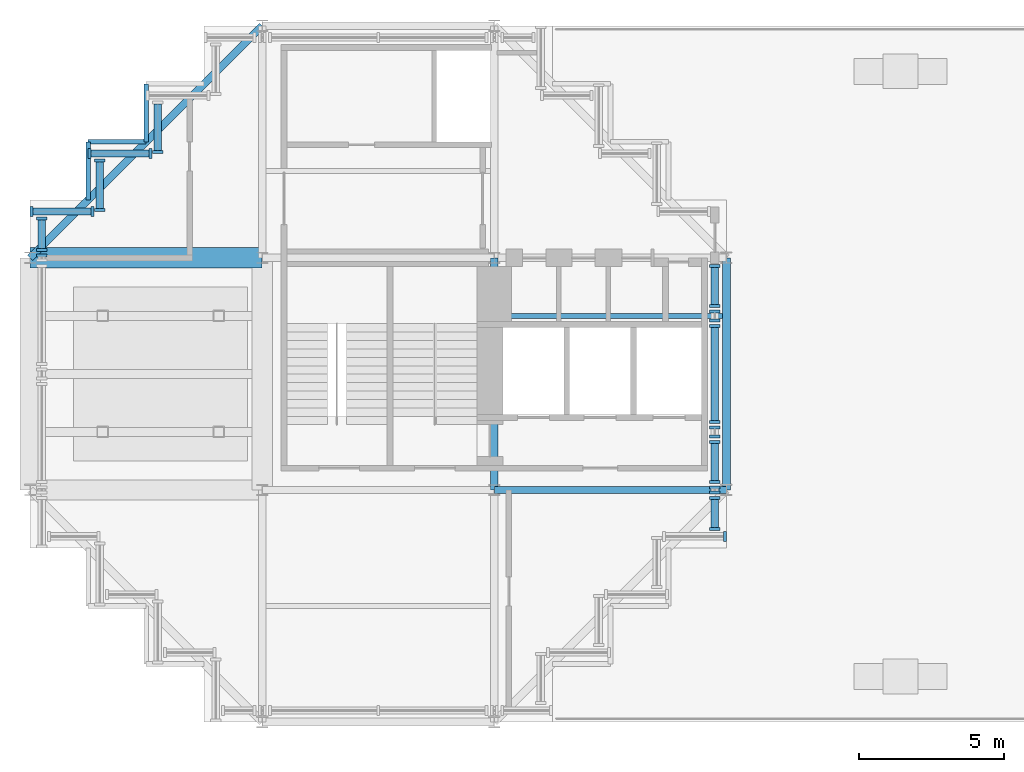
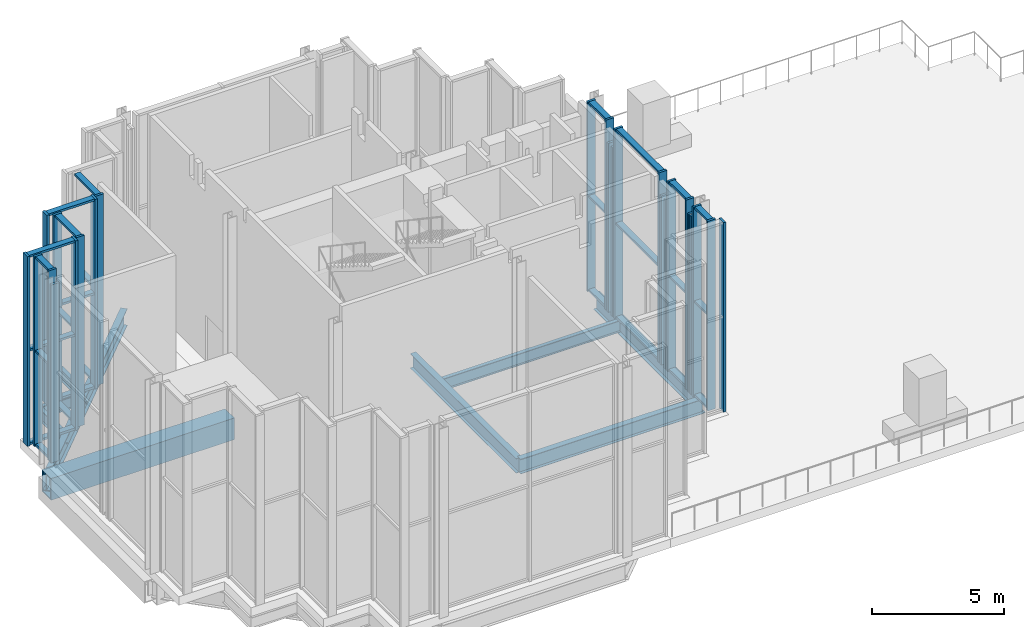
# One storey, part 3 of 15: 52 members, 9 beams, 14 elements without a shape of their own.
"""IFC4 building model written with IfcOpenShell, lengths in metres."""

from ifc_helpers import new_model, si_unit, direction, frame, origin, origin_2d, place, context, subcontext, project, spatial, rectangle, hollow_rectangle, i_section, extrude, material, material_profile, profile_set, type_object, element, aggregate, save


model = new_model("IFC4")

# Units and contexts
model_context = context("Model", 3, precision=1e-05, world=origin(), true_north=direction((0.0, 1.0)))
body_context = subcontext(model_context, "Body", "Model", "MODEL_VIEW")
ifc_project = project(units=[si_unit("LENGTHUNIT", "METRE"), si_unit("AREAUNIT", "SQUARE_METRE"), si_unit("VOLUMEUNIT", "CUBIC_METRE"), si_unit("PLANEANGLEUNIT", "RADIAN"), si_unit("MASSUNIT", "GRAM", prefix="KILO")], contexts=[model_context])

# Site, building, storey
site_placement = place(None, origin())
site = spatial("IfcSite", under=ifc_project, at=site_placement, CompositionType="ELEMENT")
building_placement = place(site_placement, origin())
building = spatial("IfcBuilding", under=site, at=building_placement, Name="Immortelle Media Tower", CompositionType="ELEMENT")
storey_placement = place(building_placement, frame((0.0, 0.0, 299.0)))
storey = spatial("IfcBuildingStorey", under=building, at=storey_placement, Name="L66", CompositionType="ELEMENT", Elevation=299.0)

# Beam
ifc_material_1 = material(Name="Steel ASTM A572 Gr 50", Category="steel")
ifc_material_profile_1 = material_profile(ifc_material_1, hollow_rectangle(XDim=0.699951171875, YDim=1.0, WallThickness=0.044921875, at=origin_2d()), Name="BOX 1000x700x45 box girder")
ifc_profile_set_1 = profile_set([ifc_material_profile_1], Name="Steel ASTM A572 Gr 50")
beam_type_1 = type_object("IfcBeamType", Name="BOX 1000x700x45 box girder", PredefinedType="BEAM", material=ifc_profile_set_1)
beam_1_placement = place(storey_placement, frame((0.0, 16.0, -0.89990234375), z_axis=(1.0, 0.0, 0.0), x_axis=(0.0, 1.0, 0.0)))
element("IfcBeam", 1, at=beam_1_placement, inside=storey, type_object=beam_type_1, Name="Girder C/1-2", PredefinedType="BEAM", context=body_context, shape_type="SweptSolid", body=[
    extrude(hollow_rectangle(XDim=0.699951171875, YDim=1.0, WallThickness=0.044921875, at=origin_2d()), origin(), (0.0, 0.0, 1.0), 8.0),
])

# Curtain wall, member
ifc_material_2 = material(Name="Aluminium curtain wall system", Category="aluminium")
curtain_wall_type = type_object("IfcCurtainWallType", Name="Damper hall glazing curtain wall", PredefinedType="NOTDEFINED", material=ifc_material_2)
curtain_wall_1_placement = place(storey_placement, origin())
curtain_wall_1 = element("IfcCurtainWall", 2, at=curtain_wall_1_placement, inside=storey, type_object=curtain_wall_type, Name="Damper hall glazing L66 S 6", PredefinedType="NOTDEFINED")
ifc_material_3 = material(Name="Aluminium 6063-T6", Category="aluminium")
ifc_material_profile_2 = material_profile(ifc_material_3, rectangle(XDim=0.35009765625, YDim=0.10009765625, at=origin_2d()), Name="AL 100x350")
ifc_profile_set_2 = profile_set([ifc_material_profile_2], Name="Aluminium 6063-T6")
member_type_1 = type_object("IfcMemberType", Name="Damper hall glazing mullion 100 x 350", PredefinedType="MULLION", material=ifc_profile_set_2)
member_1_placement = place(storey_placement, frame((23.949951171875, 6.39990234375, 0.0), z_axis=(0.0, 0.0, 1.0), x_axis=(0.0, 1.0, 0.0)))
member_1 = element("IfcMember", 3, at=member_1_placement, type_object=member_type_1, Name="CW5 mullion 2", PredefinedType="MULLION", context=body_context, shape_type="SweptSolid", body=[
    extrude(rectangle(XDim=0.35009765625, YDim=0.10009765625, at=origin_2d()), origin(), (0.0, 0.0, 1.0), 8.74951171875),
])
aggregate(curtain_wall_1, [member_1])

# Curtain wall, members
curtain_wall_2_placement = place(storey_placement, origin())
curtain_wall_2 = element("IfcCurtainWall", 4, at=curtain_wall_2_placement, inside=storey, type_object=curtain_wall_type, Name="Damper hall glazing L66 E 7-1", PredefinedType="NOTDEFINED")
member_2_placement = place(storey_placement, frame((23.60009765625, 6.64990234375, 0.0), z_axis=(0.0, 0.0, 1.0), x_axis=(-1.0, 0.0, 0.0)))
member_2 = element("IfcMember", 5, at=member_2_placement, type_object=member_type_1, Name="CW5 mullion 1", PredefinedType="MULLION", context=body_context, shape_type="SweptSolid", body=[
    extrude(rectangle(XDim=0.35009765625, YDim=0.10009765625, at=origin_2d()), origin(), (0.0, 0.0, 1.0), 8.74951171875),
])
member_3_placement = place(storey_placement, frame((23.60009765625, 7.7265625, 0.0), z_axis=(0.0, 0.0, 1.0), x_axis=(-1.0, 0.0, 0.0)))
member_3 = element("IfcMember", 6, at=member_3_placement, type_object=member_type_1, Name="CW5 mullion 2", PredefinedType="MULLION", context=body_context, shape_type="SweptSolid", body=[
    extrude(rectangle(XDim=0.35009765625, YDim=0.10009765625, at=origin_2d()), origin(), (0.0, 0.0, 1.0), 8.74951171875),
])

curtain_wall_3_placement = place(storey_placement, origin())
curtain_wall_3 = element("IfcCurtainWall", 7, at=curtain_wall_3_placement, inside=storey, type_object=curtain_wall_type, Name="Damper hall glazing L66 E 7-2", PredefinedType="NOTDEFINED")
member_4_placement = place(storey_placement, frame((23.60009765625, 7.91650390625, 0.0), z_axis=(0.0, 0.0, 1.0), x_axis=(-1.0, 0.0, 0.0)))
member_4 = element("IfcMember", 8, at=member_4_placement, type_object=member_type_1, Name="CW5 mullion 1", PredefinedType="MULLION", context=body_context, shape_type="SweptSolid", body=[
    extrude(rectangle(XDim=0.35009765625, YDim=0.10009765625, at=origin_2d()), origin(), (0.0, 0.0, 1.0), 8.21337890625),
])
member_5_placement = place(storey_placement, frame((23.60009765625, 8.08349609375, 0.0), z_axis=(0.0, 0.0, 1.0), x_axis=(-1.0, 0.0, 0.0)))
member_5 = element("IfcMember", 9, at=member_5_placement, type_object=member_type_1, Name="CW5 mullion 2", PredefinedType="MULLION", context=body_context, shape_type="SweptSolid", body=[
    extrude(rectangle(XDim=0.35009765625, YDim=0.10009765625, at=origin_2d()), origin(), (0.0, 0.0, 1.0), 8.21337890625),
])
aggregate(curtain_wall_3, [member_4, member_5])

curtain_wall_4_placement = place(storey_placement, origin())
curtain_wall_4 = element("IfcCurtainWall", 10, at=curtain_wall_4_placement, inside=storey, type_object=curtain_wall_type, Name="Damper hall glazing L66 E 7-3", PredefinedType="NOTDEFINED")
member_6_placement = place(storey_placement, frame((23.60009765625, 8.2734375, 0.0), z_axis=(0.0, 0.0, 1.0), x_axis=(-1.0, 0.0, 0.0)))
member_6 = element("IfcMember", 11, at=member_6_placement, type_object=member_type_1, Name="CW5 mullion 1", PredefinedType="MULLION", context=body_context, shape_type="SweptSolid", body=[
    extrude(rectangle(XDim=0.35009765625, YDim=0.10009765625, at=origin_2d()), origin(), (0.0, 0.0, 1.0), 8.74951171875),
])
member_7_placement = place(storey_placement, frame((23.60009765625, 9.655029296875, 0.0), z_axis=(0.0, 0.0, 1.0), x_axis=(-1.0, 0.0, 0.0)))
member_7 = element("IfcMember", 12, at=member_7_placement, type_object=member_type_1, Name="CW5 mullion 2", PredefinedType="MULLION", context=body_context, shape_type="SweptSolid", body=[
    extrude(rectangle(XDim=0.35009765625, YDim=0.10009765625, at=origin_2d()), origin(), (0.0, 0.0, 1.0), 8.74951171875),
])

curtain_wall_5_placement = place(storey_placement, origin())
curtain_wall_5 = element("IfcCurtainWall", 13, at=curtain_wall_5_placement, inside=storey, type_object=curtain_wall_type, Name="Damper hall glazing L66 E 7-4", PredefinedType="NOTDEFINED")
member_8_placement = place(storey_placement, frame((23.60009765625, 9.844970703125, 0.0), z_axis=(0.0, 0.0, 1.0), x_axis=(-1.0, 0.0, 0.0)))
member_8 = element("IfcMember", 14, at=member_8_placement, type_object=member_type_1, Name="CW5 mullion 1", PredefinedType="MULLION", context=body_context, shape_type="SweptSolid", body=[
    extrude(rectangle(XDim=0.35009765625, YDim=0.10009765625, at=origin_2d()), origin(), (0.0, 0.0, 1.0), 7.799560546875),
])
member_9_placement = place(storey_placement, frame((23.60009765625, 10.155029296875, 0.0), z_axis=(0.0, 0.0, 1.0), x_axis=(-1.0, 0.0, 0.0)))
member_9 = element("IfcMember", 15, at=member_9_placement, type_object=member_type_1, Name="CW5 mullion 2", PredefinedType="MULLION", context=body_context, shape_type="SweptSolid", body=[
    extrude(rectangle(XDim=0.35009765625, YDim=0.10009765625, at=origin_2d()), origin(), (0.0, 0.0, 1.0), 7.799560546875),
])
aggregate(curtain_wall_5, [member_8, member_9])

curtain_wall_6_placement = place(storey_placement, origin())
curtain_wall_6 = element("IfcCurtainWall", 16, at=curtain_wall_6_placement, inside=storey, type_object=curtain_wall_type, Name="Damper hall glazing L66 E 7-5", PredefinedType="NOTDEFINED")
member_10_placement = place(storey_placement, frame((23.60009765625, 10.344970703125, 0.0), z_axis=(0.0, 0.0, 1.0), x_axis=(-1.0, 0.0, 0.0)))
member_10 = element("IfcMember", 17, at=member_10_placement, type_object=member_type_1, Name="CW5 mullion 1", PredefinedType="MULLION", context=body_context, shape_type="SweptSolid", body=[
    extrude(rectangle(XDim=0.35009765625, YDim=0.10009765625, at=origin_2d()), origin(), (0.0, 0.0, 1.0), 8.74951171875),
])
member_11_placement = place(storey_placement, frame((23.60009765625, 13.655029296875, 0.0), z_axis=(0.0, 0.0, 1.0), x_axis=(-1.0, 0.0, 0.0)))
member_11 = element("IfcMember", 18, at=member_11_placement, type_object=member_type_1, Name="CW5 mullion 2", PredefinedType="MULLION", context=body_context, shape_type="SweptSolid", body=[
    extrude(rectangle(XDim=0.35009765625, YDim=0.10009765625, at=origin_2d()), origin(), (0.0, 0.0, 1.0), 8.74951171875),
])

curtain_wall_7_placement = place(storey_placement, origin())
curtain_wall_7 = element("IfcCurtainWall", 19, at=curtain_wall_7_placement, inside=storey, type_object=curtain_wall_type, Name="Damper hall glazing L66 E 7-6", PredefinedType="NOTDEFINED")
member_12_placement = place(storey_placement, frame((23.60009765625, 13.844970703125, 0.0), z_axis=(0.0, 0.0, 1.0), x_axis=(-1.0, 0.0, 0.0)))
member_12 = element("IfcMember", 20, at=member_12_placement, type_object=member_type_1, Name="CW5 mullion 1", PredefinedType="MULLION", context=body_context, shape_type="SweptSolid", body=[
    extrude(rectangle(XDim=0.35009765625, YDim=0.10009765625, at=origin_2d()), origin(), (0.0, 0.0, 1.0), 7.799560546875),
])
member_13_placement = place(storey_placement, frame((23.60009765625, 14.155029296875, 0.0), z_axis=(0.0, 0.0, 1.0), x_axis=(-1.0, 0.0, 0.0)))
member_13 = element("IfcMember", 21, at=member_13_placement, type_object=member_type_1, Name="CW5 mullion 2", PredefinedType="MULLION", context=body_context, shape_type="SweptSolid", body=[
    extrude(rectangle(XDim=0.35009765625, YDim=0.10009765625, at=origin_2d()), origin(), (0.0, 0.0, 1.0), 7.799560546875),
])
aggregate(curtain_wall_7, [member_12, member_13])

curtain_wall_8_placement = place(storey_placement, origin())
curtain_wall_8 = element("IfcCurtainWall", 22, at=curtain_wall_8_placement, inside=storey, type_object=curtain_wall_type, Name="Damper hall glazing L66 E 7-7", PredefinedType="NOTDEFINED")
member_14_placement = place(storey_placement, frame((23.60009765625, 14.344970703125, 0.0), z_axis=(0.0, 0.0, 1.0), x_axis=(-1.0, 0.0, 0.0)))
member_14 = element("IfcMember", 23, at=member_14_placement, type_object=member_type_1, Name="CW5 mullion 1", PredefinedType="MULLION", context=body_context, shape_type="SweptSolid", body=[
    extrude(rectangle(XDim=0.35009765625, YDim=0.10009765625, at=origin_2d()), origin(), (0.0, 0.0, 1.0), 8.74951171875),
])
member_15_placement = place(storey_placement, frame((23.60009765625, 15.7265625, 0.0), z_axis=(0.0, 0.0, 1.0), x_axis=(-1.0, 0.0, 0.0)))
member_15 = element("IfcMember", 24, at=member_15_placement, type_object=member_type_1, Name="CW5 mullion 2", PredefinedType="MULLION", context=body_context, shape_type="SweptSolid", body=[
    extrude(rectangle(XDim=0.35009765625, YDim=0.10009765625, at=origin_2d()), origin(), (0.0, 0.0, 1.0), 8.74951171875),
])

# Curtain wall, member
curtain_wall_9_placement = place(storey_placement, origin())
curtain_wall_9 = element("IfcCurtainWall", 25, at=curtain_wall_9_placement, inside=storey, type_object=curtain_wall_type, Name="Damper hall glazing L66 W 17", PredefinedType="NOTDEFINED")
member_16_placement = place(storey_placement, frame((4.39990234375, 19.64990234375, 0.0), z_axis=(0.0, 0.0, 1.0), x_axis=(1.0, 0.0, 0.0)))
member_16 = element("IfcMember", 26, at=member_16_placement, type_object=member_type_1, Name="CW5 mullion 2", PredefinedType="MULLION", context=body_context, shape_type="SweptSolid", body=[
    extrude(rectangle(XDim=0.35009765625, YDim=0.10009765625, at=origin_2d()), origin(), (0.0, 0.0, 1.0), 8.74951171875),
])

# Curtain wall, members
curtain_wall_10_placement = place(storey_placement, origin())
curtain_wall_10 = element("IfcCurtainWall", 27, at=curtain_wall_10_placement, inside=storey, type_object=curtain_wall_type, Name="Damper hall glazing L66 N 18", PredefinedType="NOTDEFINED")
member_17_placement = place(storey_placement, frame((4.14990234375, 19.60009765625, 0.0), z_axis=(0.0, 0.0, 1.0), x_axis=(0.0, -1.0, 0.0)))
member_17 = element("IfcMember", 28, at=member_17_placement, type_object=member_type_1, Name="CW5 mullion 1", PredefinedType="MULLION", context=body_context, shape_type="SweptSolid", body=[
    extrude(rectangle(XDim=0.35009765625, YDim=0.10009765625, at=origin_2d()), origin(), (0.0, 0.0, 1.0), 8.74951171875),
])
member_18_placement = place(storey_placement, frame((2.050048828125, 19.60009765625, 0.0), z_axis=(0.0, 0.0, 1.0), x_axis=(0.0, -1.0, 0.0)))
member_18 = element("IfcMember", 29, at=member_18_placement, type_object=member_type_1, Name="CW5 mullion 2", PredefinedType="MULLION", context=body_context, shape_type="SweptSolid", body=[
    extrude(rectangle(XDim=0.35009765625, YDim=0.10009765625, at=origin_2d()), origin(), (0.0, 0.0, 1.0), 8.74951171875),
])

curtain_wall_11_placement = place(storey_placement, origin())
curtain_wall_11 = element("IfcCurtainWall", 30, at=curtain_wall_11_placement, inside=storey, type_object=curtain_wall_type, Name="Damper hall glazing L66 W 19", PredefinedType="NOTDEFINED")
member_19_placement = place(storey_placement, frame((2.39990234375, 19.35009765625, 0.0), z_axis=(0.0, 0.0, 1.0), x_axis=(1.0, 0.0, 0.0)))
member_19 = element("IfcMember", 31, at=member_19_placement, type_object=member_type_1, Name="CW5 mullion 1", PredefinedType="MULLION", context=body_context, shape_type="SweptSolid", body=[
    extrude(rectangle(XDim=0.35009765625, YDim=0.10009765625, at=origin_2d()), origin(), (0.0, 0.0, 1.0), 8.74951171875),
])
member_20_placement = place(storey_placement, frame((2.39990234375, 17.64990234375, 0.0), z_axis=(0.0, 0.0, 1.0), x_axis=(1.0, 0.0, 0.0)))
member_20 = element("IfcMember", 32, at=member_20_placement, type_object=member_type_1, Name="CW5 mullion 2", PredefinedType="MULLION", context=body_context, shape_type="SweptSolid", body=[
    extrude(rectangle(XDim=0.35009765625, YDim=0.10009765625, at=origin_2d()), origin(), (0.0, 0.0, 1.0), 8.74951171875),
])

curtain_wall_12_placement = place(storey_placement, origin())
curtain_wall_12 = element("IfcCurtainWall", 33, at=curtain_wall_12_placement, inside=storey, type_object=curtain_wall_type, Name="Damper hall glazing L66 N 20", PredefinedType="NOTDEFINED")
member_21_placement = place(storey_placement, frame((2.14990234375, 17.60009765625, 0.0), z_axis=(0.0, 0.0, 1.0), x_axis=(0.0, -1.0, 0.0)))
member_21 = element("IfcMember", 34, at=member_21_placement, type_object=member_type_1, Name="CW5 mullion 1", PredefinedType="MULLION", context=body_context, shape_type="SweptSolid", body=[
    extrude(rectangle(XDim=0.35009765625, YDim=0.10009765625, at=origin_2d()), origin(), (0.0, 0.0, 1.0), 8.74951171875),
])
member_22_placement = place(storey_placement, frame((0.050048828125, 17.60009765625, 0.0), z_axis=(0.0, 0.0, 1.0), x_axis=(0.0, -1.0, 0.0)))
member_22 = element("IfcMember", 35, at=member_22_placement, type_object=member_type_1, Name="CW5 mullion 2", PredefinedType="MULLION", context=body_context, shape_type="SweptSolid", body=[
    extrude(rectangle(XDim=0.35009765625, YDim=0.10009765625, at=origin_2d()), origin(), (0.0, 0.0, 1.0), 8.74951171875),
])

curtain_wall_13_placement = place(storey_placement, origin())
curtain_wall_13 = element("IfcCurtainWall", 36, at=curtain_wall_13_placement, inside=storey, type_object=curtain_wall_type, Name="Damper hall glazing L66 W 21-1", PredefinedType="NOTDEFINED")
member_23_placement = place(storey_placement, frame((0.39990234375, 17.35009765625, 0.0), z_axis=(0.0, 0.0, 1.0), x_axis=(1.0, 0.0, 0.0)))
member_23 = element("IfcMember", 37, at=member_23_placement, type_object=member_type_1, Name="CW5 mullion 1", PredefinedType="MULLION", context=body_context, shape_type="SweptSolid", body=[
    extrude(rectangle(XDim=0.35009765625, YDim=0.10009765625, at=origin_2d()), origin(), (0.0, 0.0, 1.0), 8.74951171875),
])
member_24_placement = place(storey_placement, frame((0.39990234375, 16.2734375, 0.0), z_axis=(0.0, 0.0, 1.0), x_axis=(1.0, 0.0, 0.0)))
member_24 = element("IfcMember", 38, at=member_24_placement, type_object=member_type_1, Name="CW5 mullion 2", PredefinedType="MULLION", context=body_context, shape_type="SweptSolid", body=[
    extrude(rectangle(XDim=0.35009765625, YDim=0.10009765625, at=origin_2d()), origin(), (0.0, 0.0, 1.0), 8.74951171875),
])

# Curtain wall, member
curtain_wall_14_placement = place(storey_placement, origin())
curtain_wall_14 = element("IfcCurtainWall", 39, at=curtain_wall_14_placement, inside=storey, type_object=curtain_wall_type, Name="Damper hall glazing L66 W 21-2", PredefinedType="NOTDEFINED")
member_25_placement = place(storey_placement, frame((0.39990234375, 16.08349609375, 0.0), z_axis=(0.0, 0.0, 1.0), x_axis=(1.0, 0.0, 0.0)))
member_25 = element("IfcMember", 40, at=member_25_placement, type_object=member_type_1, Name="CW5 mullion 1", PredefinedType="MULLION", context=body_context, shape_type="SweptSolid", body=[
    extrude(rectangle(XDim=0.35009765625, YDim=0.10009765625, at=origin_2d()), origin(), (0.0, 0.0, 1.0), 8.21337890625),
])
aggregate(curtain_wall_14, [member_25])

# Member
ifc_material_profile_3 = material_profile(ifc_material_3, rectangle(XDim=0.25, YDim=0.10009765625, at=origin_2d()), Name="AL 100x250")
ifc_profile_set_3 = profile_set([ifc_material_profile_3], Name="Aluminium 6063-T6")
member_type_2 = type_object("IfcMemberType", Name="Damper hall glazing transom 100 x 250", PredefinedType="USERDEFINED", material=ifc_profile_set_3)
member_26_placement = place(storey_placement, frame((23.60009765625, 6.699951171875, 0.050048828125), z_axis=(0.0, 1.0, 0.0), x_axis=(-1.0, 0.0, 0.0)))
member_26 = element("IfcMember", 41, at=member_26_placement, type_object=member_type_2, Name="CW5 transom 1.1", ObjectType="TRANSOM", PredefinedType="USERDEFINED", context=body_context, shape_type="SweptSolid", body=[
    extrude(rectangle(XDim=0.25, YDim=0.10009765625, at=origin_2d()), origin(), (0.0, 0.0, 1.0), 0.9765625),
])

member_27_placement = place(storey_placement, frame((23.60009765625, 6.699951171875, 4.374755859375), z_axis=(0.0, 1.0, 0.0), x_axis=(-1.0, 0.0, 0.0)))
member_27 = element("IfcMember", 42, at=member_27_placement, type_object=member_type_2, Name="CW5 transom 1.2", ObjectType="TRANSOM", PredefinedType="USERDEFINED", context=body_context, shape_type="SweptSolid", body=[
    extrude(rectangle(XDim=0.25, YDim=0.10009765625, at=origin_2d()), origin(), (0.0, 0.0, 1.0), 0.9765625),
])

member_28_placement = place(storey_placement, frame((23.60009765625, 6.699951171875, 8.699462890625), z_axis=(0.0, 1.0, 0.0), x_axis=(-1.0, 0.0, 0.0)))
member_28 = element("IfcMember", 43, at=member_28_placement, type_object=member_type_2, Name="CW5 transom 1.3", ObjectType="TRANSOM", PredefinedType="USERDEFINED", context=body_context, shape_type="SweptSolid", body=[
    extrude(rectangle(XDim=0.25, YDim=0.10009765625, at=origin_2d()), origin(), (0.0, 0.0, 1.0), 0.9765625),
])

aggregate(curtain_wall_2, [member_2, member_3, member_26, member_27, member_28])

member_29_placement = place(storey_placement, frame((23.60009765625, 8.323486328125, 0.050048828125), z_axis=(0.0, 1.0, 0.0), x_axis=(-1.0, 0.0, 0.0)))
member_29 = element("IfcMember", 44, at=member_29_placement, type_object=member_type_2, Name="CW5 transom 1.1", ObjectType="TRANSOM", PredefinedType="USERDEFINED", context=body_context, shape_type="SweptSolid", body=[
    extrude(rectangle(XDim=0.25, YDim=0.10009765625, at=origin_2d()), origin(), (0.0, 0.0, 1.0), 1.281494140625),
])

member_30_placement = place(storey_placement, frame((23.60009765625, 8.323486328125, 4.374755859375), z_axis=(0.0, 1.0, 0.0), x_axis=(-1.0, 0.0, 0.0)))
member_30 = element("IfcMember", 45, at=member_30_placement, type_object=member_type_2, Name="CW5 transom 1.2", ObjectType="TRANSOM", PredefinedType="USERDEFINED", context=body_context, shape_type="SweptSolid", body=[
    extrude(rectangle(XDim=0.25, YDim=0.10009765625, at=origin_2d()), origin(), (0.0, 0.0, 1.0), 1.281494140625),
])

member_31_placement = place(storey_placement, frame((23.60009765625, 8.323486328125, 8.699462890625), z_axis=(0.0, 1.0, 0.0), x_axis=(-1.0, 0.0, 0.0)))
member_31 = element("IfcMember", 46, at=member_31_placement, type_object=member_type_2, Name="CW5 transom 1.3", ObjectType="TRANSOM", PredefinedType="USERDEFINED", context=body_context, shape_type="SweptSolid", body=[
    extrude(rectangle(XDim=0.25, YDim=0.10009765625, at=origin_2d()), origin(), (0.0, 0.0, 1.0), 1.281494140625),
])

aggregate(curtain_wall_4, [member_6, member_7, member_29, member_30, member_31])

member_32_placement = place(storey_placement, frame((23.60009765625, 10.39501953125, 0.050048828125), z_axis=(0.0, 1.0, 0.0), x_axis=(-1.0, 0.0, 0.0)))
member_32 = element("IfcMember", 47, at=member_32_placement, type_object=member_type_2, Name="CW5 transom 1.1", ObjectType="TRANSOM", PredefinedType="USERDEFINED", context=body_context, shape_type="SweptSolid", body=[
    extrude(rectangle(XDim=0.25, YDim=0.10009765625, at=origin_2d()), origin(), (0.0, 0.0, 1.0), 3.2099609375),
])

member_33_placement = place(storey_placement, frame((23.60009765625, 10.39501953125, 4.374755859375), z_axis=(0.0, 1.0, 0.0), x_axis=(-1.0, 0.0, 0.0)))
member_33 = element("IfcMember", 48, at=member_33_placement, type_object=member_type_2, Name="CW5 transom 1.2", ObjectType="TRANSOM", PredefinedType="USERDEFINED", context=body_context, shape_type="SweptSolid", body=[
    extrude(rectangle(XDim=0.25, YDim=0.10009765625, at=origin_2d()), origin(), (0.0, 0.0, 1.0), 3.2099609375),
])

member_34_placement = place(storey_placement, frame((23.60009765625, 10.39501953125, 8.699462890625), z_axis=(0.0, 1.0, 0.0), x_axis=(-1.0, 0.0, 0.0)))
member_34 = element("IfcMember", 49, at=member_34_placement, type_object=member_type_2, Name="CW5 transom 1.3", ObjectType="TRANSOM", PredefinedType="USERDEFINED", context=body_context, shape_type="SweptSolid", body=[
    extrude(rectangle(XDim=0.25, YDim=0.10009765625, at=origin_2d()), origin(), (0.0, 0.0, 1.0), 3.2099609375),
])

aggregate(curtain_wall_6, [member_10, member_11, member_32, member_33, member_34])

member_35_placement = place(storey_placement, frame((23.60009765625, 14.39501953125, 0.050048828125), z_axis=(0.0, 1.0, 0.0), x_axis=(-1.0, 0.0, 0.0)))
member_35 = element("IfcMember", 50, at=member_35_placement, type_object=member_type_2, Name="CW5 transom 1.1", ObjectType="TRANSOM", PredefinedType="USERDEFINED", context=body_context, shape_type="SweptSolid", body=[
    extrude(rectangle(XDim=0.25, YDim=0.10009765625, at=origin_2d()), origin(), (0.0, 0.0, 1.0), 1.281494140625),
])

member_36_placement = place(storey_placement, frame((23.60009765625, 14.39501953125, 4.374755859375), z_axis=(0.0, 1.0, 0.0), x_axis=(-1.0, 0.0, 0.0)))
member_36 = element("IfcMember", 51, at=member_36_placement, type_object=member_type_2, Name="CW5 transom 1.2", ObjectType="TRANSOM", PredefinedType="USERDEFINED", context=body_context, shape_type="SweptSolid", body=[
    extrude(rectangle(XDim=0.25, YDim=0.10009765625, at=origin_2d()), origin(), (0.0, 0.0, 1.0), 1.281494140625),
])

member_37_placement = place(storey_placement, frame((23.60009765625, 14.39501953125, 8.699462890625), z_axis=(0.0, 1.0, 0.0), x_axis=(-1.0, 0.0, 0.0)))
member_37 = element("IfcMember", 52, at=member_37_placement, type_object=member_type_2, Name="CW5 transom 1.3", ObjectType="TRANSOM", PredefinedType="USERDEFINED", context=body_context, shape_type="SweptSolid", body=[
    extrude(rectangle(XDim=0.25, YDim=0.10009765625, at=origin_2d()), origin(), (0.0, 0.0, 1.0), 1.281494140625),
])

aggregate(curtain_wall_8, [member_14, member_15, member_35, member_36, member_37])

member_38_placement = place(storey_placement, frame((4.39990234375, 21.300048828125, 0.050048828125), z_axis=(0.0, -1.0, 0.0), x_axis=(1.0, 0.0, 0.0)))
member_38 = element("IfcMember", 53, at=member_38_placement, type_object=member_type_2, Name="CW5 transom 1.1", ObjectType="TRANSOM", PredefinedType="USERDEFINED", context=body_context, shape_type="SweptSolid", body=[
    extrude(rectangle(XDim=0.25, YDim=0.10009765625, at=origin_2d()), origin(), (0.0, 0.0, 1.0), 1.60009765625),
])

member_39_placement = place(storey_placement, frame((4.39990234375, 21.300048828125, 4.374755859375), z_axis=(0.0, -1.0, 0.0), x_axis=(1.0, 0.0, 0.0)))
member_39 = element("IfcMember", 54, at=member_39_placement, type_object=member_type_2, Name="CW5 transom 1.2", ObjectType="TRANSOM", PredefinedType="USERDEFINED", context=body_context, shape_type="SweptSolid", body=[
    extrude(rectangle(XDim=0.25, YDim=0.10009765625, at=origin_2d()), origin(), (0.0, 0.0, 1.0), 1.60009765625),
])

member_40_placement = place(storey_placement, frame((4.39990234375, 21.300048828125, 8.699462890625), z_axis=(0.0, -1.0, 0.0), x_axis=(1.0, 0.0, 0.0)))
member_40 = element("IfcMember", 55, at=member_40_placement, type_object=member_type_2, Name="CW5 transom 1.3", ObjectType="TRANSOM", PredefinedType="USERDEFINED", context=body_context, shape_type="SweptSolid", body=[
    extrude(rectangle(XDim=0.25, YDim=0.10009765625, at=origin_2d()), origin(), (0.0, 0.0, 1.0), 1.60009765625),
])

aggregate(curtain_wall_9, [member_16, member_38, member_39, member_40])

member_41_placement = place(storey_placement, frame((4.10009765625, 19.60009765625, 0.050048828125), z_axis=(-1.0, 0.0, 0.0), x_axis=(0.0, -1.0, 0.0)))
member_41 = element("IfcMember", 56, at=member_41_placement, type_object=member_type_2, Name="CW5 transom 1.1", ObjectType="TRANSOM", PredefinedType="USERDEFINED", context=body_context, shape_type="SweptSolid", body=[
    extrude(rectangle(XDim=0.25, YDim=0.10009765625, at=origin_2d()), origin(), (0.0, 0.0, 1.0), 2.0),
])

member_42_placement = place(storey_placement, frame((4.10009765625, 19.60009765625, 4.374755859375), z_axis=(-1.0, 0.0, 0.0), x_axis=(0.0, -1.0, 0.0)))
member_42 = element("IfcMember", 57, at=member_42_placement, type_object=member_type_2, Name="CW5 transom 1.2", ObjectType="TRANSOM", PredefinedType="USERDEFINED", context=body_context, shape_type="SweptSolid", body=[
    extrude(rectangle(XDim=0.25, YDim=0.10009765625, at=origin_2d()), origin(), (0.0, 0.0, 1.0), 2.0),
])

member_43_placement = place(storey_placement, frame((4.10009765625, 19.60009765625, 8.699462890625), z_axis=(-1.0, 0.0, 0.0), x_axis=(0.0, -1.0, 0.0)))
member_43 = element("IfcMember", 58, at=member_43_placement, type_object=member_type_2, Name="CW5 transom 1.3", ObjectType="TRANSOM", PredefinedType="USERDEFINED", context=body_context, shape_type="SweptSolid", body=[
    extrude(rectangle(XDim=0.25, YDim=0.10009765625, at=origin_2d()), origin(), (0.0, 0.0, 1.0), 2.0),
])

aggregate(curtain_wall_10, [member_17, member_18, member_41, member_42, member_43])

member_44_placement = place(storey_placement, frame((2.39990234375, 19.300048828125, 0.050048828125), z_axis=(0.0, -1.0, 0.0), x_axis=(1.0, 0.0, 0.0)))
member_44 = element("IfcMember", 59, at=member_44_placement, type_object=member_type_2, Name="CW5 transom 1.1", ObjectType="TRANSOM", PredefinedType="USERDEFINED", context=body_context, shape_type="SweptSolid", body=[
    extrude(rectangle(XDim=0.25, YDim=0.10009765625, at=origin_2d()), origin(), (0.0, 0.0, 1.0), 1.60009765625),
])

member_45_placement = place(storey_placement, frame((2.39990234375, 19.300048828125, 4.374755859375), z_axis=(0.0, -1.0, 0.0), x_axis=(1.0, 0.0, 0.0)))
member_45 = element("IfcMember", 60, at=member_45_placement, type_object=member_type_2, Name="CW5 transom 1.2", ObjectType="TRANSOM", PredefinedType="USERDEFINED", context=body_context, shape_type="SweptSolid", body=[
    extrude(rectangle(XDim=0.25, YDim=0.10009765625, at=origin_2d()), origin(), (0.0, 0.0, 1.0), 1.60009765625),
])

member_46_placement = place(storey_placement, frame((2.39990234375, 19.300048828125, 8.699462890625), z_axis=(0.0, -1.0, 0.0), x_axis=(1.0, 0.0, 0.0)))
member_46 = element("IfcMember", 61, at=member_46_placement, type_object=member_type_2, Name="CW5 transom 1.3", ObjectType="TRANSOM", PredefinedType="USERDEFINED", context=body_context, shape_type="SweptSolid", body=[
    extrude(rectangle(XDim=0.25, YDim=0.10009765625, at=origin_2d()), origin(), (0.0, 0.0, 1.0), 1.60009765625),
])

aggregate(curtain_wall_11, [member_19, member_20, member_44, member_45, member_46])

member_47_placement = place(storey_placement, frame((2.10009765625, 17.60009765625, 0.050048828125), z_axis=(-1.0, 0.0, 0.0), x_axis=(0.0, -1.0, 0.0)))
member_47 = element("IfcMember", 62, at=member_47_placement, type_object=member_type_2, Name="CW5 transom 1.1", ObjectType="TRANSOM", PredefinedType="USERDEFINED", context=body_context, shape_type="SweptSolid", body=[
    extrude(rectangle(XDim=0.25, YDim=0.10009765625, at=origin_2d()), origin(), (0.0, 0.0, 1.0), 2.0),
])

member_48_placement = place(storey_placement, frame((2.10009765625, 17.60009765625, 4.374755859375), z_axis=(-1.0, 0.0, 0.0), x_axis=(0.0, -1.0, 0.0)))
member_48 = element("IfcMember", 63, at=member_48_placement, type_object=member_type_2, Name="CW5 transom 1.2", ObjectType="TRANSOM", PredefinedType="USERDEFINED", context=body_context, shape_type="SweptSolid", body=[
    extrude(rectangle(XDim=0.25, YDim=0.10009765625, at=origin_2d()), origin(), (0.0, 0.0, 1.0), 2.0),
])

member_49_placement = place(storey_placement, frame((2.10009765625, 17.60009765625, 8.699462890625), z_axis=(-1.0, 0.0, 0.0), x_axis=(0.0, -1.0, 0.0)))
member_49 = element("IfcMember", 64, at=member_49_placement, type_object=member_type_2, Name="CW5 transom 1.3", ObjectType="TRANSOM", PredefinedType="USERDEFINED", context=body_context, shape_type="SweptSolid", body=[
    extrude(rectangle(XDim=0.25, YDim=0.10009765625, at=origin_2d()), origin(), (0.0, 0.0, 1.0), 2.0),
])

aggregate(curtain_wall_12, [member_21, member_22, member_47, member_48, member_49])

member_50_placement = place(storey_placement, frame((0.39990234375, 17.300048828125, 0.050048828125), z_axis=(0.0, -1.0, 0.0), x_axis=(1.0, 0.0, 0.0)))
member_50 = element("IfcMember", 65, at=member_50_placement, type_object=member_type_2, Name="CW5 transom 1.1", ObjectType="TRANSOM", PredefinedType="USERDEFINED", context=body_context, shape_type="SweptSolid", body=[
    extrude(rectangle(XDim=0.25, YDim=0.10009765625, at=origin_2d()), origin(), (0.0, 0.0, 1.0), 0.9765625),
])

member_51_placement = place(storey_placement, frame((0.39990234375, 17.300048828125, 4.374755859375), z_axis=(0.0, -1.0, 0.0), x_axis=(1.0, 0.0, 0.0)))
member_51 = element("IfcMember", 66, at=member_51_placement, type_object=member_type_2, Name="CW5 transom 1.2", ObjectType="TRANSOM", PredefinedType="USERDEFINED", context=body_context, shape_type="SweptSolid", body=[
    extrude(rectangle(XDim=0.25, YDim=0.10009765625, at=origin_2d()), origin(), (0.0, 0.0, 1.0), 0.9765625),
])

member_52_placement = place(storey_placement, frame((0.39990234375, 17.300048828125, 8.699462890625), z_axis=(0.0, -1.0, 0.0), x_axis=(1.0, 0.0, 0.0)))
member_52 = element("IfcMember", 67, at=member_52_placement, type_object=member_type_2, Name="CW5 transom 1.3", ObjectType="TRANSOM", PredefinedType="USERDEFINED", context=body_context, shape_type="SweptSolid", body=[
    extrude(rectangle(XDim=0.25, YDim=0.10009765625, at=origin_2d()), origin(), (0.0, 0.0, 1.0), 0.9765625),
])

aggregate(curtain_wall_13, [member_23, member_24, member_50, member_51, member_52])

# Beams
ifc_material_4 = material(Name="Steel ASTM A992 Gr 50", Category="steel")
ifc_material_profile_4 = material_profile(ifc_material_4, i_section(OverallWidth=0.1669921875, OverallDepth=0.535888671875, WebThickness=0.010009765625, FlangeThickness=0.01708984375, at=origin_2d()), Name="W21x57")
ifc_profile_set_4 = profile_set([ifc_material_profile_4], Name="Steel ASTM A992 Gr 50")
beam_type_2 = type_object("IfcBeamType", Name="W21x57 secondary beam", PredefinedType="JOIST", material=ifc_profile_set_4)
beam_2_placement = place(storey_placement, frame((16.12646484375, 14.0, -0.66796875), z_axis=(1.0, 0.0, 0.0), x_axis=(0.0, 1.0, 0.0)))
element("IfcBeam", 68, at=beam_2_placement, inside=storey, type_object=beam_type_2, Name="Beam B-C/3-4", PredefinedType="JOIST", context=body_context, shape_type="SweptSolid", body=[
    extrude(i_section(OverallWidth=0.1669921875, OverallDepth=0.535888671875, WebThickness=0.010009765625, FlangeThickness=0.01708984375, at=origin_2d()), origin(), (0.0, 0.0, 1.0), 7.739990234375),
])
ifc_material_profile_5 = material_profile(ifc_material_4, i_section(OverallWidth=0.1669921875, OverallDepth=0.535888671875, WebThickness=0.010009765625, FlangeThickness=0.01708984375, at=origin_2d()), Name="W21x57")
ifc_profile_set_5 = profile_set([ifc_material_profile_5], Name="Steel ASTM A992 Gr 50")
beam_type_3 = type_object("IfcBeamType", Name="W21x57 serration edge beam", PredefinedType="SPANDREL", material=ifc_profile_set_5)
for number, where, z_axis, x_axis, name in (
    (69, (4.0, 22.0, -0.66796875), (0.0, -1.0, 0.0), (1.0, 0.0, 0.0), "Corner edge beam 2 at 1/D"),
    (70, (4.0, 20.0, -0.66796875), (-1.0, 0.0, 0.0), (0.0, -1.0, 0.0), "Corner edge beam 3 at 1/D"),
    (71, (2.0, 20.0, -0.66796875), (0.0, -1.0, 0.0), (1.0, 0.0, 0.0), "Corner edge beam 4 at 1/D"),
):
    element("IfcBeam", number, at=place(storey_placement, frame(where, z_axis=z_axis, x_axis=x_axis)), inside=storey, type_object=beam_type_3, Name=name, PredefinedType="SPANDREL", context=body_context, shape_type="SweptSolid", body=[
        extrude(i_section(OverallWidth=0.1669921875, OverallDepth=0.535888671875, WebThickness=0.010009765625, FlangeThickness=0.01708984375, at=origin_2d()), origin(), (0.0, 0.0, 1.0), 2.0),
    ])
ifc_material_profile_6 = material_profile(ifc_material_4, i_section(OverallWidth=0.2529296875, OverallDepth=0.677978515625, WebThickness=0.011962890625, FlangeThickness=0.01611328125, at=origin_2d()), Name="W27x84")
ifc_profile_set_6 = profile_set([ifc_material_profile_6], Name="Steel ASTM A992 Gr 50")
beam_type_4 = type_object("IfcBeamType", Name="W27x84 girder", PredefinedType="BEAM", material=ifc_profile_set_6)
for number, where, z_axis, x_axis, name in (
    (72, (16.0, 8.0, -0.739013671875), (1.0, 0.0, 0.0), (0.0, 1.0, 0.0), "Girder B/3-4"),
    (73, (16.0, 8.0, -0.739013671875), (0.0, 1.0, 0.0), (-1.0, 0.0, 0.0), "Girder 3/B-C"),
):
    element("IfcBeam", number, at=place(storey_placement, frame(where, z_axis=z_axis, x_axis=x_axis)), inside=storey, type_object=beam_type_4, Name=name, PredefinedType="BEAM", context=body_context, shape_type="SweptSolid", body=[
        extrude(i_section(OverallWidth=0.2529296875, OverallDepth=0.677978515625, WebThickness=0.011962890625, FlangeThickness=0.01611328125, at=origin_2d()), origin(), (0.0, 0.0, 1.0), 8.0),
    ])
ifc_material_profile_7 = material_profile(ifc_material_4, i_section(OverallWidth=0.26708984375, OverallDepth=0.761962890625, WebThickness=0.013916015625, FlangeThickness=0.02197265625, at=origin_2d()), Name="W30x116")
ifc_profile_set_7 = profile_set([ifc_material_profile_7], Name="Steel ASTM A992 Gr 50")
beam_type_5 = type_object("IfcBeamType", Name="W30x116 perimeter girder", PredefinedType="SPANDREL", material=ifc_profile_set_7)
beam_3_placement = place(storey_placement, frame((24.0, 8.0, -0.781005859375), z_axis=(0.0, 1.0, 0.0), x_axis=(-1.0, 0.0, 0.0)))
element("IfcBeam", 74, at=beam_3_placement, inside=storey, type_object=beam_type_5, Name="Girder 4/B-C", PredefinedType="SPANDREL", context=body_context, shape_type="SweptSolid", body=[
    extrude(i_section(OverallWidth=0.26708984375, OverallDepth=0.761962890625, WebThickness=0.013916015625, FlangeThickness=0.02197265625, at=origin_2d()), origin(), (0.0, 0.0, 1.0), 8.0),
])
ifc_material_profile_8 = material_profile(ifc_material_4, i_section(OverallWidth=0.26708984375, OverallDepth=0.780029296875, WebThickness=0.01708984375, FlangeThickness=0.030029296875, at=origin_2d()), Name="W30x148")
ifc_profile_set_8 = profile_set([ifc_material_profile_8], Name="Steel ASTM A992 Gr 50")
beam_type_6 = type_object("IfcBeamType", Name="W30x148 corner girder", PredefinedType="SPANDREL", material=ifc_profile_set_8)
beam_4_placement = place(storey_placement, frame((8.0, 24.0, -0.7900390625), z_axis=(-0.707106781187, -0.707106781187, 0.0), x_axis=(0.707106781187, -0.707106781187, 0.0)))
element("IfcBeam", 75, at=beam_4_placement, inside=storey, type_object=beam_type_6, Name="Corner girder at 1/D", PredefinedType="SPANDREL", context=body_context, shape_type="SweptSolid", body=[
    extrude(i_section(OverallWidth=0.26708984375, OverallDepth=0.780029296875, WebThickness=0.01708984375, FlangeThickness=0.030029296875, at=origin_2d()), origin(), (0.0, 0.0, 1.0), 11.313720703125),
])

save(model, "model.ifc")
